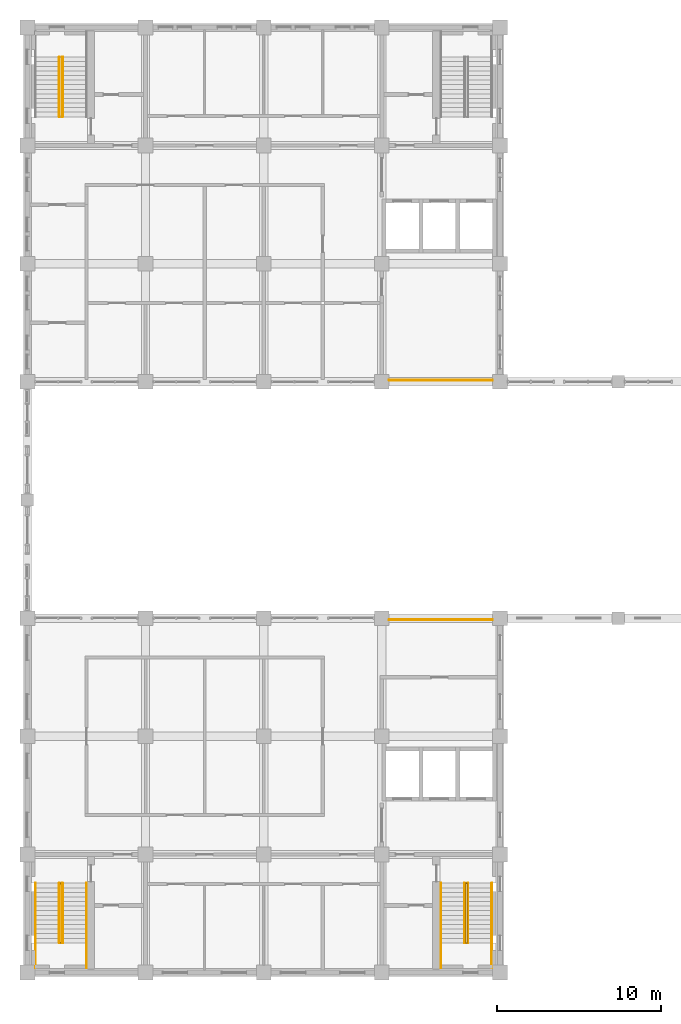
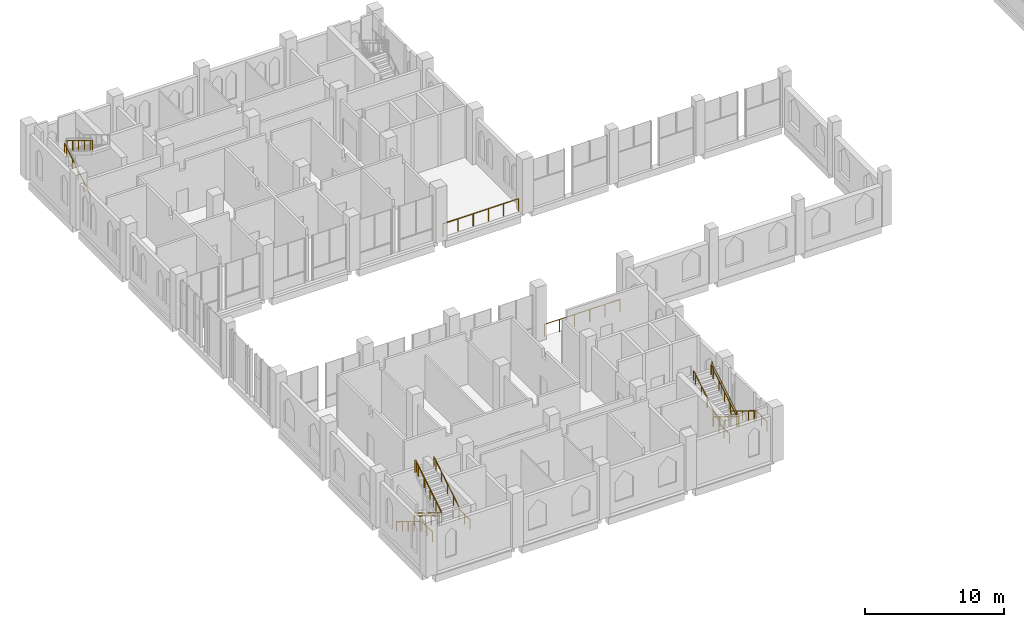
# One storey, part 37 of 39: 14 railings.
"""IFC4 building model written with IfcOpenShell, lengths in metres."""

import ifcopenshell
import ifcopenshell.guid

model = None  # the IFC model being written
_history = None  # IfcOwnerHistory: only IFC2X3 demands one
_inside = {}  # id of a spatial element -> (the spatial element, [elements in it])
_under = {}  # id of a project, library or spatial element -> (it, [spatial elements below it])
_declared = {}  # id of a project -> (the project, [libraries it declares])
_typed = {}  # id of a type object -> (the type object, [elements of that type])
_made_of = {}  # id of a material, layer set ... -> (it, [elements and type objects made of it])


def new_model(schema):
    """Start an empty IFC model of exactly this schema.

    Asked for "IFC4X3", IfcOpenShell would pick the latest addendum, in which some entities
    have other attributes; the version numbers below select the first issue.
    IFC2X3 requires an IfcOwnerHistory on every rooted entity: one is made here for all.
    """
    global model, _history
    if schema == "IFC4X3":
        model = ifcopenshell.file(schema_version=(4, 3, 0, 0))
    else:
        model = ifcopenshell.file(schema=schema)
    _inside.clear()
    _under.clear()
    _declared.clear()
    _typed.clear()
    _made_of.clear()
    _history = None
    if model.schema == "IFC2X3":
        org = make("IfcOrganization", Name="unknown")
        user = make(
            "IfcPersonAndOrganization",
            ThePerson=make("IfcPerson", FamilyName="unknown"),
            TheOrganization=org,
        )
        app = make(
            "IfcApplication",
            ApplicationDeveloper=org,
            Version="unknown",
            ApplicationFullName="unknown",
            ApplicationIdentifier="unknown",
        )
        _history = make(
            "IfcOwnerHistory",
            OwningUser=user,
            OwningApplication=app,
            ChangeAction="ADDED",
            CreationDate=0,
        )
    return model


def make(cls, **values):
    """One entity of the class cls with the attributes given. An attribute that is None is left unset."""
    return model.create_entity(
        cls, **{name: value for name, value in values.items() if value is not None}
    )


def rooted(cls, **values):
    """An entity with a GlobalId (a new one), such as an element, a storey or a relation."""
    return make(cls, GlobalId=ifcopenshell.guid.new(), OwnerHistory=_history, **values)


def si_unit(unit_type, name, prefix=None):
    """IfcSIUnit, for example si_unit("LENGTHUNIT", "METRE", prefix="MILLI")."""
    return make("IfcSIUnit", UnitType=unit_type, Prefix=prefix, Name=name)


def assignment(units):
    """IfcUnitAssignment: the units of a project."""
    return None if units is None else make("IfcUnitAssignment", Units=units)


def point(xyz):
    """IfcCartesianPoint."""
    return None if xyz is None else make("IfcCartesianPoint", Coordinates=xyz)


def direction(xyz):
    """IfcDirection."""
    return None if xyz is None else make("IfcDirection", DirectionRatios=xyz)


def frame(location, z_axis=None, x_axis=None):
    """IfcAxis2Placement3D, a coordinate frame: its origin and axes. An axis left out is left unset."""
    return make(
        "IfcAxis2Placement3D",
        Location=point(location),
        Axis=direction(z_axis),
        RefDirection=direction(x_axis),
    )


def frame_2d(location, x_axis=None):
    """IfcAxis2Placement2D, a coordinate frame in the plane: its origin and x axis."""
    return make(
        "IfcAxis2Placement2D", Location=point(location), RefDirection=direction(x_axis)
    )


def origin():
    """The frame at (0, 0, 0) with its axes left unset."""
    return frame((0.0, 0.0, 0.0))


def origin_2d():
    """The frame at (0, 0) in the plane with its x axis left unset."""
    return frame_2d((0.0, 0.0))


def place(relative_to, where):
    """IfcLocalPlacement: puts the frame where relative to a parent placement (None: the world)."""
    return make(
        "IfcLocalPlacement", PlacementRelTo=relative_to, RelativePlacement=where
    )


def context(
    kind, dimensions, precision=None, world=None, true_north=None, identifier=None
):
    """IfcGeometricRepresentationContext, for example the 3D "Model" context."""
    return make(
        "IfcGeometricRepresentationContext",
        ContextIdentifier=identifier,
        ContextType=kind,
        CoordinateSpaceDimension=dimensions,
        Precision=precision,
        WorldCoordinateSystem=world,
        TrueNorth=true_north,
    )


def subcontext(parent, identifier, kind, view, scale=None):
    """IfcGeometricRepresentationSubContext, for example "Body" below "Model"."""
    return make(
        "IfcGeometricRepresentationSubContext",
        ContextIdentifier=identifier,
        ContextType=kind,
        ParentContext=parent,
        TargetScale=scale,
        TargetView=view,
    )


def project(units=None, contexts=None):
    """IfcProject with its units and contexts."""
    return rooted(
        "IfcProject",
        Name="project",
        RepresentationContexts=contexts,
        UnitsInContext=assignment(units),
    )


def spatial(cls, under=None, at=None, **own):
    """A site, building, storey or space (cls), placed at a placement, below another one or the project."""
    s = rooted(cls, ObjectPlacement=at, **own)
    if under is not None:
        _under.setdefault(under.id(), (under, []))[1].append(s)
    return s


def profile(cls, at=None, kind="AREA", **sizes):
    """A parametric profile (cls). Its sizes go by their IFC names, for example OverallWidth=200.0."""
    return make(cls, ProfileType=kind, Position=at, **sizes)


def circle(**sizes):
    """IfcCircleProfileDef."""
    return profile("IfcCircleProfileDef", **sizes)


def extrude(swept, where, along, depth):
    """IfcExtrudedAreaSolid: the profile swept, set in the frame where, extruded along a direction by depth."""
    return make(
        "IfcExtrudedAreaSolid",
        SweptArea=swept,
        Position=where,
        ExtrudedDirection=direction(along),
        Depth=depth,
    )


def shape(context_of_items, identifier, shape_type, items):
    """IfcShapeRepresentation: the items that make up one representation, for example the "Body"."""
    return make(
        "IfcShapeRepresentation",
        ContextOfItems=context_of_items,
        RepresentationIdentifier=identifier,
        RepresentationType=shape_type,
        Items=items,
    )


def material(Name=None, Category=None):
    """IfcMaterial."""
    return make("IfcMaterial", Name=Name, Category=Category)


def made_of(thing, what):
    """Note that an element or type object is made of a material, layer set ...; save() writes the relation."""
    if what is not None:
        _made_of.setdefault(what.id(), (what, []))[1].append(thing)
    return thing


def type_object(cls, material=None, **own):
    """A type object (cls), such as IfcWallType, which elements share."""
    return made_of(rooted(cls, **own), material)


def element(
    cls,
    number,
    at=None,
    inside=None,
    cuts=None,
    type_object=None,
    material=None,
    context=None,
    identifier="Body",
    shape_type=None,
    held_by="IfcProductDefinitionShape",
    body=None,
    shapes=None,
    **own,
):
    """One element of the class cls, such as IfcWall. Its Tag is "e" and its number.

    at: its placement. inside: the storey or other place that contains it. cuts: it is an
    opening in that element (IfcRelVoidsElement). A single representation is given by context,
    identifier, shape_type and body (its items); several are given by shapes. held_by: the class
    of the entity that holds the representations. save() writes the other relations.
    """
    e = rooted(cls, Tag="e%d" % number, ObjectPlacement=at, **own)
    if body is not None:
        shapes = [shape(context, identifier, shape_type, body)]
    if shapes is not None:
        e.Representation = make(held_by, Representations=shapes)
    if inside is not None:
        _inside.setdefault(inside.id(), (inside, []))[1].append(e)
    if cuts is not None:
        rooted(
            "IfcRelVoidsElement", RelatingBuildingElement=cuts, RelatedOpeningElement=e
        )
    if type_object is not None:
        _typed.setdefault(type_object.id(), (type_object, []))[1].append(e)
    return made_of(e, material)


def aggregate(whole, parts):
    """IfcRelAggregates: a whole, such as a stair, and the parts it consists of."""
    return rooted("IfcRelAggregates", RelatingObject=whole, RelatedObjects=parts)


def save(model, path):
    """Write the relations noted so far, then the file.

    IfcRelAggregates (storeys below a building ...), IfcRelContainedInSpatialStructure (elements
    in a storey), IfcRelDefinesByType, IfcRelAssociatesMaterial and IfcRelDeclares: one each for
    every whole, place, type object, material and project.
    """
    for whole, parts in _under.values():
        aggregate(whole, parts)
    for where, things in _inside.values():
        rooted(
            "IfcRelContainedInSpatialStructure",
            RelatedElements=things,
            RelatingStructure=where,
        )
    for kind, things in _typed.values():
        rooted("IfcRelDefinesByType", RelatedObjects=things, RelatingType=kind)
    for what, things in _made_of.values():
        rooted("IfcRelAssociatesMaterial", RelatedObjects=things, RelatingMaterial=what)
    for by, libraries in _declared.values():
        rooted("IfcRelDeclares", RelatingContext=by, RelatedDefinitions=libraries)
    model.write(path)


model = new_model("IFC4")

# Units and contexts
model_context = context("Model", 3, precision=1e-05, world=origin(), true_north=direction((0.0, 1.0)))
body_context = subcontext(model_context, "Body", "Model", "MODEL_VIEW")
ifc_project = project(units=[si_unit("LENGTHUNIT", "METRE"), si_unit("AREAUNIT", "SQUARE_METRE"), si_unit("VOLUMEUNIT", "CUBIC_METRE"), si_unit("PLANEANGLEUNIT", "RADIAN"), si_unit("MASSUNIT", "GRAM", prefix="KILO")], contexts=[model_context])

# Site, building, storey
site_placement = place(None, origin())
site = spatial("IfcSite", under=ifc_project, at=site_placement, CompositionType="ELEMENT")
building_placement = place(site_placement, origin())
building = spatial("IfcBuilding", under=site, at=building_placement, Name="Silangan Lancet Faculty of Sciences", CompositionType="ELEMENT")
storey_placement = place(building_placement, frame((0.0, 0.0, 26.39990234375)))
storey = spatial("IfcBuildingStorey", under=building, at=storey_placement, Name="L05", CompositionType="ELEMENT", Elevation=26.39990234375)

# Railings
ifc_material_1 = material(Name="Steel balustrade", Category="steel")
railing_type_1 = type_object("IfcRailingType", Name="ATRIUM GUARD 1100", PredefinedType="GUARDRAIL", material=ifc_material_1)
for number, where, name in (
    (1, (22.050048828125, 21.5, 0.0), "GUARD-ATR-L05-S9"),
    (2, (22.050048828125, 36.10009765625, 0.0), "GUARD-ATR-L05-N10"),
):
    element("IfcRailing", number, at=place(storey_placement, frame(where)), inside=storey, type_object=railing_type_1, Name=name, PredefinedType="GUARDRAIL", context=body_context, shape_type="SweptSolid", body=[
        extrude(circle(Radius=0.02392578125, at=origin_2d()), frame((0.0, 0.0, 1.076171875), z_axis=(1.0, 0.0, 0.0), x_axis=(0.0, 1.0, 0.0)), (0.0, 0.0, 1.0), 6.300048828125),
        extrude(circle(Radius=0.02099609375, at=origin_2d()), origin(), (0.0, 0.0, 1.0), 1.052001953125),
        extrude(circle(Radius=0.02099609375, at=origin_2d()), frame((1.260009765625, 0.0, 0.0)), (0.0, 0.0, 1.0), 1.052001953125),
        extrude(circle(Radius=0.02099609375, at=origin_2d()), frame((2.52001953125, 0.0, 0.0)), (0.0, 0.0, 1.0), 1.052001953125),
        extrude(circle(Radius=0.02099609375, at=origin_2d()), frame((3.780029296875, 0.0, 0.0)), (0.0, 0.0, 1.0), 1.052001953125),
        extrude(circle(Radius=0.02099609375, at=origin_2d()), frame((5.0400390625, 0.0, 0.0)), (0.0, 0.0, 1.0), 1.052001953125),
        extrude(circle(Radius=0.02099609375, at=origin_2d()), frame((6.300048828125, 0.0, 0.0)), (0.0, 0.0, 1.0), 1.052001953125),
    ])
ifc_material_2 = material(Name="Steel balustrade", Category="steel")
railing_type_2 = type_object("IfcRailingType", Name="STAIR GUARD 1100", PredefinedType="GUARDRAIL", material=ifc_material_2)
railing_1_placement = place(storey_placement, frame((2.0, 5.449951171875, 0.17138671875)))
element("IfcRailing", 3, at=railing_1_placement, inside=storey, type_object=railing_type_2, Name="GUARD-ST-A-L05", PredefinedType="GUARDRAIL", context=body_context, shape_type="SweptSolid", body=[
    extrude(circle(Radius=0.02392578125, at=origin_2d()), frame((0.0, 0.0, 1.076171875), z_axis=(0.0, -0.852798921012, 0.522239409008), x_axis=(1.0, 0.0, 0.0)), (0.0, 0.0, 1.0), 1.313232421875),
    extrude(circle(Radius=0.02392578125, at=origin_2d()), frame((0.0, -1.119873046875, 1.76171875), z_axis=(0.0, -0.852849614702, 0.52215661894), x_axis=(1.0, 0.0, 0.0)), (0.0, 0.0, 1.0), 1.3134765625),
    extrude(circle(Radius=0.02392578125, at=origin_2d()), frame((0.0, -2.239990234375, 2.44775390625), z_axis=(0.0, -0.852798921012, 0.522239409008), x_axis=(1.0, 0.0, 0.0)), (0.0, 0.0, 1.0), 1.313232421875),
    extrude(circle(Radius=0.02392578125, at=origin_2d()), frame((0.0, -3.35986328125, 3.13330078125), z_axis=(0.0, -0.852932391421, 0.522021393877), x_axis=(1.0, 0.0, 0.0)), (0.0, 0.0, 1.0), 0.328369140625),
    extrude(circle(Radius=0.02392578125, at=origin_2d()), frame((0.0, -3.639892578125, 3.3046875), z_axis=(1.0, 0.0, 0.0), x_axis=(0.0, 1.0, 0.0)), (0.0, 0.0, 1.0), 0.10009765625),
    extrude(circle(Radius=0.02392578125, at=origin_2d()), frame((0.10009765625, -3.639892578125, 3.3046875), z_axis=(0.0, 0.0, 1.0), x_axis=(1.0, 0.0, 0.0)), (0.0, 0.0, 1.0), 0.17138671875),
    extrude(circle(Radius=0.02392578125, at=origin_2d()), frame((0.10009765625, -3.639892578125, 3.47607421875), z_axis=(0.0, 0.852881719064, 0.522104178577), x_axis=(-1.0, 0.0, 0.0)), (0.0, 0.0, 1.0), 1.31298828125),
    extrude(circle(Radius=0.02392578125, at=origin_2d()), frame((0.10009765625, -2.52001953125, 4.16162109375), z_axis=(0.0, 0.852766832618, 0.522291804633), x_axis=(-1.0, 0.0, 0.0)), (0.0, 0.0, 1.0), 1.3134765625),
    extrude(circle(Radius=0.02392578125, at=origin_2d()), frame((0.10009765625, -1.39990234375, 4.84765625), z_axis=(0.0, 0.852881719064, 0.522104178577), x_axis=(-1.0, 0.0, 0.0)), (0.0, 0.0, 1.0), 1.31298828125),
    extrude(circle(Radius=0.02392578125, at=origin_2d()), frame((0.10009765625, -0.280029296875, 5.533203125), z_axis=(0.0, 0.852932391421, 0.522021393877), x_axis=(-1.0, 0.0, 0.0)), (0.0, 0.0, 1.0), 0.328369140625),
    extrude(circle(Radius=0.02392578125, at=origin_2d()), frame((0.10009765625, 0.0, 5.70458984375), z_axis=(-1.0, 0.0, 0.0), x_axis=(0.0, -1.0, 0.0)), (0.0, 0.0, 1.0), 0.10009765625),
    extrude(circle(Radius=0.02099609375, at=origin_2d()), origin(), (0.0, 0.0, 1.0), 1.052001953125),
    extrude(circle(Radius=0.02099609375, at=origin_2d()), frame((0.0, -1.119873046875, 0.685791015625)), (0.0, 0.0, 1.0), 1.052001953125),
    extrude(circle(Radius=0.02099609375, at=origin_2d()), frame((0.0, -2.239990234375, 1.37158203125)), (0.0, 0.0, 1.0), 1.052001953125),
    extrude(circle(Radius=0.02099609375, at=origin_2d()), frame((0.0, -3.35986328125, 2.057373046875)), (0.0, 0.0, 1.0), 1.052001953125),
    extrude(circle(Radius=0.02099609375, at=origin_2d()), frame((0.0, -3.639892578125, 2.228759765625)), (0.0, 0.0, 1.0), 1.052001953125),
    extrude(circle(Radius=0.02099609375, at=origin_2d()), frame((0.10009765625, -3.639892578125, 2.228759765625)), (0.0, 0.0, 1.0), 1.052001953125),
    extrude(circle(Radius=0.02099609375, at=origin_2d()), frame((0.10009765625, -3.639892578125, 2.400146484375)), (0.0, 0.0, 1.0), 1.052001953125),
    extrude(circle(Radius=0.02099609375, at=origin_2d()), frame((0.10009765625, -2.52001953125, 3.085693359375)), (0.0, 0.0, 1.0), 1.052001953125),
    extrude(circle(Radius=0.02099609375, at=origin_2d()), frame((0.10009765625, -1.39990234375, 3.771728515625)), (0.0, 0.0, 1.0), 1.052001953125),
    extrude(circle(Radius=0.02099609375, at=origin_2d()), frame((0.10009765625, -0.280029296875, 4.457275390625)), (0.0, 0.0, 1.0), 1.052001953125),
    extrude(circle(Radius=0.02099609375, at=origin_2d()), frame((0.10009765625, 0.0, 4.628662109375)), (0.0, 0.0, 1.0), 1.052001953125),
    extrude(circle(Radius=0.02099609375, at=origin_2d()), frame((0.0, 0.0, 4.628662109375)), (0.0, 0.0, 1.0), 1.052001953125),
])
railing_2_placement = place(storey_placement, frame((26.800048828125, 5.449951171875, 0.17138671875)))
element("IfcRailing", 4, at=railing_2_placement, inside=storey, type_object=railing_type_2, Name="GUARD-ST-B-L05", PredefinedType="GUARDRAIL", context=body_context, shape_type="SweptSolid", body=[
    extrude(circle(Radius=0.02392578125, at=origin_2d()), frame((0.0, 0.0, 1.076171875), z_axis=(0.0, -0.852798921012, 0.522239409008), x_axis=(1.0, 0.0, 0.0)), (0.0, 0.0, 1.0), 1.313232421875),
    extrude(circle(Radius=0.02392578125, at=origin_2d()), frame((0.0, -1.119873046875, 1.76171875), z_axis=(0.0, -0.852849614702, 0.52215661894), x_axis=(1.0, 0.0, 0.0)), (0.0, 0.0, 1.0), 1.3134765625),
    extrude(circle(Radius=0.02392578125, at=origin_2d()), frame((0.0, -2.239990234375, 2.44775390625), z_axis=(0.0, -0.852798921012, 0.522239409008), x_axis=(1.0, 0.0, 0.0)), (0.0, 0.0, 1.0), 1.313232421875),
    extrude(circle(Radius=0.02392578125, at=origin_2d()), frame((0.0, -3.35986328125, 3.13330078125), z_axis=(0.0, -0.852932391421, 0.522021393877), x_axis=(1.0, 0.0, 0.0)), (0.0, 0.0, 1.0), 0.328369140625),
    extrude(circle(Radius=0.02392578125, at=origin_2d()), frame((0.0, -3.639892578125, 3.3046875), z_axis=(-1.0, 0.0, 0.0), x_axis=(0.0, -1.0, 0.0)), (0.0, 0.0, 1.0), 0.10009765625),
    extrude(circle(Radius=0.02392578125, at=origin_2d()), frame((-0.10009765625, -3.639892578125, 3.3046875), z_axis=(0.0, 0.0, 1.0), x_axis=(1.0, 0.0, 0.0)), (0.0, 0.0, 1.0), 0.17138671875),
    extrude(circle(Radius=0.02392578125, at=origin_2d()), frame((-0.10009765625, -3.639892578125, 3.47607421875), z_axis=(0.0, 0.852881719064, 0.522104178577), x_axis=(-1.0, 0.0, 0.0)), (0.0, 0.0, 1.0), 1.31298828125),
    extrude(circle(Radius=0.02392578125, at=origin_2d()), frame((-0.10009765625, -2.52001953125, 4.16162109375), z_axis=(0.0, 0.852766832618, 0.522291804633), x_axis=(-1.0, 0.0, 0.0)), (0.0, 0.0, 1.0), 1.3134765625),
    extrude(circle(Radius=0.02392578125, at=origin_2d()), frame((-0.10009765625, -1.39990234375, 4.84765625), z_axis=(0.0, 0.852881719064, 0.522104178577), x_axis=(-1.0, 0.0, 0.0)), (0.0, 0.0, 1.0), 1.31298828125),
    extrude(circle(Radius=0.02392578125, at=origin_2d()), frame((-0.10009765625, -0.280029296875, 5.533203125), z_axis=(0.0, 0.852932391421, 0.522021393877), x_axis=(-1.0, 0.0, 0.0)), (0.0, 0.0, 1.0), 0.328369140625),
    extrude(circle(Radius=0.02392578125, at=origin_2d()), frame((-0.10009765625, 0.0, 5.70458984375), z_axis=(1.0, 0.0, 0.0), x_axis=(0.0, 1.0, 0.0)), (0.0, 0.0, 1.0), 0.10009765625),
    extrude(circle(Radius=0.02099609375, at=origin_2d()), origin(), (0.0, 0.0, 1.0), 1.052001953125),
    extrude(circle(Radius=0.02099609375, at=origin_2d()), frame((0.0, -1.119873046875, 0.685791015625)), (0.0, 0.0, 1.0), 1.052001953125),
    extrude(circle(Radius=0.02099609375, at=origin_2d()), frame((0.0, -2.239990234375, 1.37158203125)), (0.0, 0.0, 1.0), 1.052001953125),
    extrude(circle(Radius=0.02099609375, at=origin_2d()), frame((0.0, -3.35986328125, 2.057373046875)), (0.0, 0.0, 1.0), 1.052001953125),
    extrude(circle(Radius=0.02099609375, at=origin_2d()), frame((0.0, -3.639892578125, 2.228759765625)), (0.0, 0.0, 1.0), 1.052001953125),
    extrude(circle(Radius=0.02099609375, at=origin_2d()), frame((-0.10009765625, -3.639892578125, 2.228759765625)), (0.0, 0.0, 1.0), 1.052001953125),
    extrude(circle(Radius=0.02099609375, at=origin_2d()), frame((-0.10009765625, -3.639892578125, 2.400146484375)), (0.0, 0.0, 1.0), 1.052001953125),
    extrude(circle(Radius=0.02099609375, at=origin_2d()), frame((-0.10009765625, -2.52001953125, 3.085693359375)), (0.0, 0.0, 1.0), 1.052001953125),
    extrude(circle(Radius=0.02099609375, at=origin_2d()), frame((-0.10009765625, -1.39990234375, 3.771728515625)), (0.0, 0.0, 1.0), 1.052001953125),
    extrude(circle(Radius=0.02099609375, at=origin_2d()), frame((-0.10009765625, -0.280029296875, 4.457275390625)), (0.0, 0.0, 1.0), 1.052001953125),
    extrude(circle(Radius=0.02099609375, at=origin_2d()), frame((-0.10009765625, 0.0, 4.628662109375)), (0.0, 0.0, 1.0), 1.052001953125),
    extrude(circle(Radius=0.02099609375, at=origin_2d()), frame((0.0, 0.0, 4.628662109375)), (0.0, 0.0, 1.0), 1.052001953125),
])
ifc_material_3 = material(Name="Stainless steel", Category="steel")
railing_type_3 = type_object("IfcRailingType", Name="STAIR HANDRAIL 865", PredefinedType="HANDRAIL", material=ifc_material_3)
railing_3_placement = place(storey_placement, frame((1.949951171875, 52.14990234375, 0.17138671875)))
element("IfcRailing", 5, at=railing_3_placement, inside=storey, type_object=railing_type_3, Name="HANDRAIL-NT-A-L05-I1", PredefinedType="HANDRAIL", context=body_context, shape_type="SweptSolid", body=[
    extrude(circle(Radius=0.02392578125, at=origin_2d()), frame((0.0, 0.0, 0.8408203125), z_axis=(0.0, 0.852822021269, 0.522201685212), x_axis=(-1.0, 0.0, 0.0)), (0.0, 0.0, 1.0), 0.985107421875),
    extrude(circle(Radius=0.02392578125, at=origin_2d()), frame((0.0, 0.840087890625, 1.35546875), z_axis=(0.0, 0.852822021269, 0.522201685212), x_axis=(-1.0, 0.0, 0.0)), (0.0, 0.0, 1.0), 0.985107421875),
    extrude(circle(Radius=0.02392578125, at=origin_2d()), frame((0.0, 1.68017578125, 1.86962890625), z_axis=(0.0, 0.85286482292, 0.522131778218), x_axis=(-1.0, 0.0, 0.0)), (0.0, 0.0, 1.0), 0.984619140625),
    extrude(circle(Radius=0.02392578125, at=origin_2d()), frame((0.0, 2.52001953125, 2.3837890625), z_axis=(0.0, 0.852822021269, 0.522201685212), x_axis=(-1.0, 0.0, 0.0)), (0.0, 0.0, 1.0), 0.985107421875),
    extrude(circle(Radius=0.02392578125, at=origin_2d()), frame((0.0, 3.360107421875, 2.8984375), z_axis=(0.0, 0.852932391421, 0.522021393877), x_axis=(-1.0, 0.0, 0.0)), (0.0, 0.0, 1.0), 0.328369140625),
    extrude(circle(Radius=0.02099609375, at=origin_2d()), origin(), (0.0, 0.0, 1.0), 0.81689453125),
    extrude(circle(Radius=0.02099609375, at=origin_2d()), frame((0.0, 0.840087890625, 0.514404296875)), (0.0, 0.0, 1.0), 0.81689453125),
    extrude(circle(Radius=0.02099609375, at=origin_2d()), frame((0.0, 1.68017578125, 1.02880859375)), (0.0, 0.0, 1.0), 0.81689453125),
    extrude(circle(Radius=0.02099609375, at=origin_2d()), frame((0.0, 2.52001953125, 1.54296875)), (0.0, 0.0, 1.0), 0.81689453125),
    extrude(circle(Radius=0.02099609375, at=origin_2d()), frame((0.0, 3.360107421875, 2.057373046875)), (0.0, 0.0, 1.0), 0.81689453125),
    extrude(circle(Radius=0.02099609375, at=origin_2d()), frame((0.0, 3.64013671875, 2.228759765625)), (0.0, 0.0, 1.0), 0.81689453125),
])
railing_4_placement = place(storey_placement, frame((2.14990234375, 55.7900390625, 2.571533203125)))
element("IfcRailing", 6, at=railing_4_placement, inside=storey, type_object=railing_type_3, Name="HANDRAIL-NT-A-L05-I2", PredefinedType="HANDRAIL", context=body_context, shape_type="SweptSolid", body=[
    extrude(circle(Radius=0.02392578125, at=origin_2d()), frame((0.0, 0.0, 0.8408203125), z_axis=(0.0, -0.852932391421, 0.522021393877), x_axis=(1.0, 0.0, 0.0)), (0.0, 0.0, 1.0), 0.98486328125),
    extrude(circle(Radius=0.02392578125, at=origin_2d()), frame((0.0, -0.840087890625, 1.35498046875), z_axis=(0.0, -0.852754414843, 0.522312079092), x_axis=(1.0, 0.0, 0.0)), (0.0, 0.0, 1.0), 0.98486328125),
    extrude(circle(Radius=0.02392578125, at=origin_2d()), frame((0.0, -1.679931640625, 1.86962890625), z_axis=(0.0, -0.852822021269, 0.522201685212), x_axis=(1.0, 0.0, 0.0)), (0.0, 0.0, 1.0), 0.985107421875),
    extrude(circle(Radius=0.02392578125, at=origin_2d()), frame((0.0, -2.52001953125, 2.3837890625), z_axis=(0.0, -0.852932391421, 0.522021393877), x_axis=(1.0, 0.0, 0.0)), (0.0, 0.0, 1.0), 0.98486328125),
    extrude(circle(Radius=0.02392578125, at=origin_2d()), frame((0.0, -3.360107421875, 2.89794921875), z_axis=(0.0, -0.852932391421, 0.522021393877), x_axis=(1.0, 0.0, 0.0)), (0.0, 0.0, 1.0), 0.328369140625),
    extrude(circle(Radius=0.02099609375, at=origin_2d()), origin(), (0.0, 0.0, 1.0), 0.81689453125),
    extrude(circle(Radius=0.02099609375, at=origin_2d()), frame((0.0, -0.840087890625, 0.51416015625)), (0.0, 0.0, 1.0), 0.81689453125),
    extrude(circle(Radius=0.02099609375, at=origin_2d()), frame((0.0, -1.679931640625, 1.028564453125)), (0.0, 0.0, 1.0), 0.81689453125),
    extrude(circle(Radius=0.02099609375, at=origin_2d()), frame((0.0, -2.52001953125, 1.54296875)), (0.0, 0.0, 1.0), 0.81689453125),
    extrude(circle(Radius=0.02099609375, at=origin_2d()), frame((0.0, -3.360107421875, 2.05712890625)), (0.0, 0.0, 1.0), 0.81689453125),
    extrude(circle(Radius=0.02099609375, at=origin_2d()), frame((0.0, -3.64013671875, 2.228515625)), (0.0, 0.0, 1.0), 0.81689453125),
])
railing_5_placement = place(storey_placement, frame((0.5, 5.449951171875, 0.17138671875)))
element("IfcRailing", 7, at=railing_5_placement, inside=storey, type_object=railing_type_3, Name="HANDRAIL-ST-A-L05-O1", PredefinedType="HANDRAIL", context=body_context, shape_type="SweptSolid", body=[
    extrude(circle(Radius=0.02392578125, at=origin_2d()), frame((0.0, 0.0, 0.8408203125), z_axis=(0.0, -0.852754414843, 0.522312079092), x_axis=(1.0, 0.0, 0.0)), (0.0, 0.0, 1.0), 0.98486328125),
    extrude(circle(Radius=0.02392578125, at=origin_2d()), frame((0.0, -0.83984375, 1.35546875), z_axis=(0.0, -0.852822021269, 0.522201685212), x_axis=(1.0, 0.0, 0.0)), (0.0, 0.0, 1.0), 0.985107421875),
    extrude(circle(Radius=0.02392578125, at=origin_2d()), frame((0.0, -1.679931640625, 1.86962890625), z_axis=(0.0, -0.852932391421, 0.522021393877), x_axis=(1.0, 0.0, 0.0)), (0.0, 0.0, 1.0), 0.98486328125),
    extrude(circle(Radius=0.02392578125, at=origin_2d()), frame((0.0, -2.52001953125, 2.3837890625), z_axis=(0.0, -0.852754414843, 0.522312079092), x_axis=(1.0, 0.0, 0.0)), (0.0, 0.0, 1.0), 0.98486328125),
    extrude(circle(Radius=0.02392578125, at=origin_2d()), frame((0.0, -3.35986328125, 2.8984375), z_axis=(0.0, -0.852932391421, 0.522021393877), x_axis=(1.0, 0.0, 0.0)), (0.0, 0.0, 1.0), 0.328369140625),
    extrude(circle(Radius=0.02392578125, at=origin_2d()), frame((0.0, -3.639892578125, 3.06982421875), z_axis=(0.0, -1.0, 0.0), x_axis=(1.0, 0.0, 0.0)), (0.0, 0.0, 1.0), 1.53515625),
    extrude(circle(Radius=0.02099609375, at=origin_2d()), origin(), (0.0, 0.0, 1.0), 0.81689453125),
    extrude(circle(Radius=0.02099609375, at=origin_2d()), frame((0.0, -0.83984375, 0.514404296875)), (0.0, 0.0, 1.0), 0.81689453125),
    extrude(circle(Radius=0.02099609375, at=origin_2d()), frame((0.0, -1.679931640625, 1.02880859375)), (0.0, 0.0, 1.0), 0.81689453125),
    extrude(circle(Radius=0.02099609375, at=origin_2d()), frame((0.0, -2.52001953125, 1.54296875)), (0.0, 0.0, 1.0), 0.81689453125),
    extrude(circle(Radius=0.02099609375, at=origin_2d()), frame((0.0, -3.35986328125, 2.057373046875)), (0.0, 0.0, 1.0), 0.81689453125),
    extrude(circle(Radius=0.02099609375, at=origin_2d()), frame((0.0, -3.639892578125, 2.228759765625)), (0.0, 0.0, 1.0), 0.81689453125),
    extrude(circle(Radius=0.02099609375, at=origin_2d()), frame((0.0, -4.407470703125, 2.228759765625)), (0.0, 0.0, 1.0), 0.81689453125),
    extrude(circle(Radius=0.02099609375, at=origin_2d()), frame((0.0, -5.175048828125, 2.228759765625)), (0.0, 0.0, 1.0), 0.81689453125),
])
railing_6_placement = place(storey_placement, frame((1.949951171875, 5.449951171875, 0.17138671875)))
element("IfcRailing", 8, at=railing_6_placement, inside=storey, type_object=railing_type_3, Name="HANDRAIL-ST-A-L05-I1", PredefinedType="HANDRAIL", context=body_context, shape_type="SweptSolid", body=[
    extrude(circle(Radius=0.02392578125, at=origin_2d()), frame((0.0, 0.0, 0.8408203125), z_axis=(0.0, -0.852754414843, 0.522312079092), x_axis=(1.0, 0.0, 0.0)), (0.0, 0.0, 1.0), 0.98486328125),
    extrude(circle(Radius=0.02392578125, at=origin_2d()), frame((0.0, -0.83984375, 1.35546875), z_axis=(0.0, -0.852822021269, 0.522201685212), x_axis=(1.0, 0.0, 0.0)), (0.0, 0.0, 1.0), 0.985107421875),
    extrude(circle(Radius=0.02392578125, at=origin_2d()), frame((0.0, -1.679931640625, 1.86962890625), z_axis=(0.0, -0.852932391421, 0.522021393877), x_axis=(1.0, 0.0, 0.0)), (0.0, 0.0, 1.0), 0.98486328125),
    extrude(circle(Radius=0.02392578125, at=origin_2d()), frame((0.0, -2.52001953125, 2.3837890625), z_axis=(0.0, -0.852754414843, 0.522312079092), x_axis=(1.0, 0.0, 0.0)), (0.0, 0.0, 1.0), 0.98486328125),
    extrude(circle(Radius=0.02392578125, at=origin_2d()), frame((0.0, -3.35986328125, 2.8984375), z_axis=(0.0, -0.852932391421, 0.522021393877), x_axis=(1.0, 0.0, 0.0)), (0.0, 0.0, 1.0), 0.328369140625),
    extrude(circle(Radius=0.02099609375, at=origin_2d()), origin(), (0.0, 0.0, 1.0), 0.81689453125),
    extrude(circle(Radius=0.02099609375, at=origin_2d()), frame((0.0, -0.83984375, 0.514404296875)), (0.0, 0.0, 1.0), 0.81689453125),
    extrude(circle(Radius=0.02099609375, at=origin_2d()), frame((0.0, -1.679931640625, 1.02880859375)), (0.0, 0.0, 1.0), 0.81689453125),
    extrude(circle(Radius=0.02099609375, at=origin_2d()), frame((0.0, -2.52001953125, 1.54296875)), (0.0, 0.0, 1.0), 0.81689453125),
    extrude(circle(Radius=0.02099609375, at=origin_2d()), frame((0.0, -3.35986328125, 2.057373046875)), (0.0, 0.0, 1.0), 0.81689453125),
    extrude(circle(Radius=0.02099609375, at=origin_2d()), frame((0.0, -3.639892578125, 2.228759765625)), (0.0, 0.0, 1.0), 0.81689453125),
])
railing_7_placement = place(storey_placement, frame((3.60009765625, 0.27490234375, 2.400146484375)))
element("IfcRailing", 9, at=railing_7_placement, inside=storey, type_object=railing_type_3, Name="HANDRAIL-ST-A-L05-O2", PredefinedType="HANDRAIL", context=body_context, shape_type="SweptSolid", body=[
    extrude(circle(Radius=0.02392578125, at=origin_2d()), frame((0.0, 0.0, 0.8408203125), z_axis=(0.0, 1.0, 0.0), x_axis=(-1.0, 0.0, 0.0)), (0.0, 0.0, 1.0), 1.53515625),
    extrude(circle(Radius=0.02392578125, at=origin_2d()), frame((0.0, 1.53515625, 0.8408203125), z_axis=(0.0, 0.0, 1.0), x_axis=(1.0, 0.0, 0.0)), (0.0, 0.0, 1.0), 0.17138671875),
    extrude(circle(Radius=0.02392578125, at=origin_2d()), frame((0.0, 1.53515625, 1.01220703125), z_axis=(0.0, 0.85286482292, 0.522131778218), x_axis=(-1.0, 0.0, 0.0)), (0.0, 0.0, 1.0), 0.984619140625),
    extrude(circle(Radius=0.02392578125, at=origin_2d()), frame((0.0, 2.375, 1.5263671875), z_axis=(0.0, 0.852822021269, 0.522201685212), x_axis=(-1.0, 0.0, 0.0)), (0.0, 0.0, 1.0), 0.985107421875),
    extrude(circle(Radius=0.02392578125, at=origin_2d()), frame((0.0, 3.215087890625, 2.041015625), z_axis=(0.0, 0.852822021269, 0.522201685212), x_axis=(-1.0, 0.0, 0.0)), (0.0, 0.0, 1.0), 0.985107421875),
    extrude(circle(Radius=0.02392578125, at=origin_2d()), frame((0.0, 4.05517578125, 2.55517578125), z_axis=(0.0, 0.85286482292, 0.522131778218), x_axis=(-1.0, 0.0, 0.0)), (0.0, 0.0, 1.0), 0.984619140625),
    extrude(circle(Radius=0.02392578125, at=origin_2d()), frame((0.0, 4.89501953125, 3.0693359375), z_axis=(0.0, 0.852932391421, 0.522021393877), x_axis=(-1.0, 0.0, 0.0)), (0.0, 0.0, 1.0), 0.328369140625),
    extrude(circle(Radius=0.02099609375, at=origin_2d()), origin(), (0.0, 0.0, 1.0), 0.81689453125),
    extrude(circle(Radius=0.02099609375, at=origin_2d()), frame((0.0, 0.767578125, 0.0)), (0.0, 0.0, 1.0), 0.81689453125),
    extrude(circle(Radius=0.02099609375, at=origin_2d()), frame((0.0, 1.53515625, 0.0)), (0.0, 0.0, 1.0), 0.81689453125),
    extrude(circle(Radius=0.02099609375, at=origin_2d()), frame((0.0, 1.53515625, 0.17138671875)), (0.0, 0.0, 1.0), 0.81689453125),
    extrude(circle(Radius=0.02099609375, at=origin_2d()), frame((0.0, 2.375, 0.685546875)), (0.0, 0.0, 1.0), 0.81689453125),
    extrude(circle(Radius=0.02099609375, at=origin_2d()), frame((0.0, 3.215087890625, 1.199951171875)), (0.0, 0.0, 1.0), 0.81689453125),
    extrude(circle(Radius=0.02099609375, at=origin_2d()), frame((0.0, 4.05517578125, 1.71435546875)), (0.0, 0.0, 1.0), 0.81689453125),
    extrude(circle(Radius=0.02099609375, at=origin_2d()), frame((0.0, 4.89501953125, 2.228515625)), (0.0, 0.0, 1.0), 0.81689453125),
    extrude(circle(Radius=0.02099609375, at=origin_2d()), frame((0.0, 5.175048828125, 2.39990234375)), (0.0, 0.0, 1.0), 0.81689453125),
])
railing_8_placement = place(storey_placement, frame((2.14990234375, 1.81005859375, 2.571533203125)))
element("IfcRailing", 10, at=railing_8_placement, inside=storey, type_object=railing_type_3, Name="HANDRAIL-ST-A-L05-I2", PredefinedType="HANDRAIL", context=body_context, shape_type="SweptSolid", body=[
    extrude(circle(Radius=0.02392578125, at=origin_2d()), frame((0.0, 0.0, 0.8408203125), z_axis=(0.0, 0.85286482292, 0.522131778218), x_axis=(-1.0, 0.0, 0.0)), (0.0, 0.0, 1.0), 0.984619140625),
    extrude(circle(Radius=0.02392578125, at=origin_2d()), frame((0.0, 0.83984375, 1.35498046875), z_axis=(0.0, 0.852822021269, 0.522201685212), x_axis=(-1.0, 0.0, 0.0)), (0.0, 0.0, 1.0), 0.985107421875),
    extrude(circle(Radius=0.02392578125, at=origin_2d()), frame((0.0, 1.679931640625, 1.86962890625), z_axis=(0.0, 0.852822021269, 0.522201685212), x_axis=(-1.0, 0.0, 0.0)), (0.0, 0.0, 1.0), 0.985107421875),
    extrude(circle(Radius=0.02392578125, at=origin_2d()), frame((0.0, 2.52001953125, 2.3837890625), z_axis=(0.0, 0.85286482292, 0.522131778218), x_axis=(-1.0, 0.0, 0.0)), (0.0, 0.0, 1.0), 0.984619140625),
    extrude(circle(Radius=0.02392578125, at=origin_2d()), frame((0.0, 3.35986328125, 2.89794921875), z_axis=(0.0, 0.852932391421, 0.522021393877), x_axis=(-1.0, 0.0, 0.0)), (0.0, 0.0, 1.0), 0.328369140625),
    extrude(circle(Radius=0.02099609375, at=origin_2d()), origin(), (0.0, 0.0, 1.0), 0.81689453125),
    extrude(circle(Radius=0.02099609375, at=origin_2d()), frame((0.0, 0.83984375, 0.51416015625)), (0.0, 0.0, 1.0), 0.81689453125),
    extrude(circle(Radius=0.02099609375, at=origin_2d()), frame((0.0, 1.679931640625, 1.028564453125)), (0.0, 0.0, 1.0), 0.81689453125),
    extrude(circle(Radius=0.02099609375, at=origin_2d()), frame((0.0, 2.52001953125, 1.54296875)), (0.0, 0.0, 1.0), 0.81689453125),
    extrude(circle(Radius=0.02099609375, at=origin_2d()), frame((0.0, 3.35986328125, 2.05712890625)), (0.0, 0.0, 1.0), 0.81689453125),
    extrude(circle(Radius=0.02099609375, at=origin_2d()), frame((0.0, 3.639892578125, 2.228515625)), (0.0, 0.0, 1.0), 0.81689453125),
])
railing_9_placement = place(storey_placement, frame((28.300048828125, 5.449951171875, 0.17138671875)))
element("IfcRailing", 11, at=railing_9_placement, inside=storey, type_object=railing_type_3, Name="HANDRAIL-ST-B-L05-O1", PredefinedType="HANDRAIL", context=body_context, shape_type="SweptSolid", body=[
    extrude(circle(Radius=0.02392578125, at=origin_2d()), frame((0.0, 0.0, 0.8408203125), z_axis=(0.0, -0.852754414843, 0.522312079092), x_axis=(1.0, 0.0, 0.0)), (0.0, 0.0, 1.0), 0.98486328125),
    extrude(circle(Radius=0.02392578125, at=origin_2d()), frame((0.0, -0.83984375, 1.35546875), z_axis=(0.0, -0.852822021269, 0.522201685212), x_axis=(1.0, 0.0, 0.0)), (0.0, 0.0, 1.0), 0.985107421875),
    extrude(circle(Radius=0.02392578125, at=origin_2d()), frame((0.0, -1.679931640625, 1.86962890625), z_axis=(0.0, -0.852932391421, 0.522021393877), x_axis=(1.0, 0.0, 0.0)), (0.0, 0.0, 1.0), 0.98486328125),
    extrude(circle(Radius=0.02392578125, at=origin_2d()), frame((0.0, -2.52001953125, 2.3837890625), z_axis=(0.0, -0.852754414843, 0.522312079092), x_axis=(1.0, 0.0, 0.0)), (0.0, 0.0, 1.0), 0.98486328125),
    extrude(circle(Radius=0.02392578125, at=origin_2d()), frame((0.0, -3.35986328125, 2.8984375), z_axis=(0.0, -0.852932391421, 0.522021393877), x_axis=(1.0, 0.0, 0.0)), (0.0, 0.0, 1.0), 0.328369140625),
    extrude(circle(Radius=0.02392578125, at=origin_2d()), frame((0.0, -3.639892578125, 3.06982421875), z_axis=(0.0, -1.0, 0.0), x_axis=(1.0, 0.0, 0.0)), (0.0, 0.0, 1.0), 1.53515625),
    extrude(circle(Radius=0.02099609375, at=origin_2d()), origin(), (0.0, 0.0, 1.0), 0.81689453125),
    extrude(circle(Radius=0.02099609375, at=origin_2d()), frame((0.0, -0.83984375, 0.514404296875)), (0.0, 0.0, 1.0), 0.81689453125),
    extrude(circle(Radius=0.02099609375, at=origin_2d()), frame((0.0, -1.679931640625, 1.02880859375)), (0.0, 0.0, 1.0), 0.81689453125),
    extrude(circle(Radius=0.02099609375, at=origin_2d()), frame((0.0, -2.52001953125, 1.54296875)), (0.0, 0.0, 1.0), 0.81689453125),
    extrude(circle(Radius=0.02099609375, at=origin_2d()), frame((0.0, -3.35986328125, 2.057373046875)), (0.0, 0.0, 1.0), 0.81689453125),
    extrude(circle(Radius=0.02099609375, at=origin_2d()), frame((0.0, -3.639892578125, 2.228759765625)), (0.0, 0.0, 1.0), 0.81689453125),
    extrude(circle(Radius=0.02099609375, at=origin_2d()), frame((0.0, -4.407470703125, 2.228759765625)), (0.0, 0.0, 1.0), 0.81689453125),
    extrude(circle(Radius=0.02099609375, at=origin_2d()), frame((0.0, -5.175048828125, 2.228759765625)), (0.0, 0.0, 1.0), 0.81689453125),
])
railing_10_placement = place(storey_placement, frame((26.85009765625, 5.449951171875, 0.17138671875)))
element("IfcRailing", 12, at=railing_10_placement, inside=storey, type_object=railing_type_3, Name="HANDRAIL-ST-B-L05-I1", PredefinedType="HANDRAIL", context=body_context, shape_type="SweptSolid", body=[
    extrude(circle(Radius=0.02392578125, at=origin_2d()), frame((0.0, 0.0, 0.8408203125), z_axis=(0.0, -0.852754414843, 0.522312079092), x_axis=(1.0, 0.0, 0.0)), (0.0, 0.0, 1.0), 0.98486328125),
    extrude(circle(Radius=0.02392578125, at=origin_2d()), frame((0.0, -0.83984375, 1.35546875), z_axis=(0.0, -0.852822021269, 0.522201685212), x_axis=(1.0, 0.0, 0.0)), (0.0, 0.0, 1.0), 0.985107421875),
    extrude(circle(Radius=0.02392578125, at=origin_2d()), frame((0.0, -1.679931640625, 1.86962890625), z_axis=(0.0, -0.852932391421, 0.522021393877), x_axis=(1.0, 0.0, 0.0)), (0.0, 0.0, 1.0), 0.98486328125),
    extrude(circle(Radius=0.02392578125, at=origin_2d()), frame((0.0, -2.52001953125, 2.3837890625), z_axis=(0.0, -0.852754414843, 0.522312079092), x_axis=(1.0, 0.0, 0.0)), (0.0, 0.0, 1.0), 0.98486328125),
    extrude(circle(Radius=0.02392578125, at=origin_2d()), frame((0.0, -3.35986328125, 2.8984375), z_axis=(0.0, -0.852932391421, 0.522021393877), x_axis=(1.0, 0.0, 0.0)), (0.0, 0.0, 1.0), 0.328369140625),
    extrude(circle(Radius=0.02099609375, at=origin_2d()), origin(), (0.0, 0.0, 1.0), 0.81689453125),
    extrude(circle(Radius=0.02099609375, at=origin_2d()), frame((0.0, -0.83984375, 0.514404296875)), (0.0, 0.0, 1.0), 0.81689453125),
    extrude(circle(Radius=0.02099609375, at=origin_2d()), frame((0.0, -1.679931640625, 1.02880859375)), (0.0, 0.0, 1.0), 0.81689453125),
    extrude(circle(Radius=0.02099609375, at=origin_2d()), frame((0.0, -2.52001953125, 1.54296875)), (0.0, 0.0, 1.0), 0.81689453125),
    extrude(circle(Radius=0.02099609375, at=origin_2d()), frame((0.0, -3.35986328125, 2.057373046875)), (0.0, 0.0, 1.0), 0.81689453125),
    extrude(circle(Radius=0.02099609375, at=origin_2d()), frame((0.0, -3.639892578125, 2.228759765625)), (0.0, 0.0, 1.0), 0.81689453125),
])
railing_11_placement = place(storey_placement, frame((25.199951171875, 0.27490234375, 2.400146484375)))
element("IfcRailing", 13, at=railing_11_placement, inside=storey, type_object=railing_type_3, Name="HANDRAIL-ST-B-L05-O2", PredefinedType="HANDRAIL", context=body_context, shape_type="SweptSolid", body=[
    extrude(circle(Radius=0.02392578125, at=origin_2d()), frame((0.0, 0.0, 0.8408203125), z_axis=(0.0, 1.0, 0.0), x_axis=(-1.0, 0.0, 0.0)), (0.0, 0.0, 1.0), 1.53515625),
    extrude(circle(Radius=0.02392578125, at=origin_2d()), frame((0.0, 1.53515625, 0.8408203125), z_axis=(0.0, 0.0, 1.0), x_axis=(1.0, 0.0, 0.0)), (0.0, 0.0, 1.0), 0.17138671875),
    extrude(circle(Radius=0.02392578125, at=origin_2d()), frame((0.0, 1.53515625, 1.01220703125), z_axis=(0.0, 0.85286482292, 0.522131778218), x_axis=(-1.0, 0.0, 0.0)), (0.0, 0.0, 1.0), 0.984619140625),
    extrude(circle(Radius=0.02392578125, at=origin_2d()), frame((0.0, 2.375, 1.5263671875), z_axis=(0.0, 0.852822021269, 0.522201685212), x_axis=(-1.0, 0.0, 0.0)), (0.0, 0.0, 1.0), 0.985107421875),
    extrude(circle(Radius=0.02392578125, at=origin_2d()), frame((0.0, 3.215087890625, 2.041015625), z_axis=(0.0, 0.852822021269, 0.522201685212), x_axis=(-1.0, 0.0, 0.0)), (0.0, 0.0, 1.0), 0.985107421875),
    extrude(circle(Radius=0.02392578125, at=origin_2d()), frame((0.0, 4.05517578125, 2.55517578125), z_axis=(0.0, 0.85286482292, 0.522131778218), x_axis=(-1.0, 0.0, 0.0)), (0.0, 0.0, 1.0), 0.984619140625),
    extrude(circle(Radius=0.02392578125, at=origin_2d()), frame((0.0, 4.89501953125, 3.0693359375), z_axis=(0.0, 0.852932391421, 0.522021393877), x_axis=(-1.0, 0.0, 0.0)), (0.0, 0.0, 1.0), 0.328369140625),
    extrude(circle(Radius=0.02099609375, at=origin_2d()), origin(), (0.0, 0.0, 1.0), 0.81689453125),
    extrude(circle(Radius=0.02099609375, at=origin_2d()), frame((0.0, 0.767578125, 0.0)), (0.0, 0.0, 1.0), 0.81689453125),
    extrude(circle(Radius=0.02099609375, at=origin_2d()), frame((0.0, 1.53515625, 0.0)), (0.0, 0.0, 1.0), 0.81689453125),
    extrude(circle(Radius=0.02099609375, at=origin_2d()), frame((0.0, 1.53515625, 0.17138671875)), (0.0, 0.0, 1.0), 0.81689453125),
    extrude(circle(Radius=0.02099609375, at=origin_2d()), frame((0.0, 2.375, 0.685546875)), (0.0, 0.0, 1.0), 0.81689453125),
    extrude(circle(Radius=0.02099609375, at=origin_2d()), frame((0.0, 3.215087890625, 1.199951171875)), (0.0, 0.0, 1.0), 0.81689453125),
    extrude(circle(Radius=0.02099609375, at=origin_2d()), frame((0.0, 4.05517578125, 1.71435546875)), (0.0, 0.0, 1.0), 0.81689453125),
    extrude(circle(Radius=0.02099609375, at=origin_2d()), frame((0.0, 4.89501953125, 2.228515625)), (0.0, 0.0, 1.0), 0.81689453125),
    extrude(circle(Radius=0.02099609375, at=origin_2d()), frame((0.0, 5.175048828125, 2.39990234375)), (0.0, 0.0, 1.0), 0.81689453125),
])
railing_12_placement = place(storey_placement, frame((26.64990234375, 1.81005859375, 2.571533203125)))
element("IfcRailing", 14, at=railing_12_placement, inside=storey, type_object=railing_type_3, Name="HANDRAIL-ST-B-L05-I2", PredefinedType="HANDRAIL", context=body_context, shape_type="SweptSolid", body=[
    extrude(circle(Radius=0.02392578125, at=origin_2d()), frame((0.0, 0.0, 0.8408203125), z_axis=(0.0, 0.85286482292, 0.522131778218), x_axis=(-1.0, 0.0, 0.0)), (0.0, 0.0, 1.0), 0.984619140625),
    extrude(circle(Radius=0.02392578125, at=origin_2d()), frame((0.0, 0.83984375, 1.35498046875), z_axis=(0.0, 0.852822021269, 0.522201685212), x_axis=(-1.0, 0.0, 0.0)), (0.0, 0.0, 1.0), 0.985107421875),
    extrude(circle(Radius=0.02392578125, at=origin_2d()), frame((0.0, 1.679931640625, 1.86962890625), z_axis=(0.0, 0.852822021269, 0.522201685212), x_axis=(-1.0, 0.0, 0.0)), (0.0, 0.0, 1.0), 0.985107421875),
    extrude(circle(Radius=0.02392578125, at=origin_2d()), frame((0.0, 2.52001953125, 2.3837890625), z_axis=(0.0, 0.85286482292, 0.522131778218), x_axis=(-1.0, 0.0, 0.0)), (0.0, 0.0, 1.0), 0.984619140625),
    extrude(circle(Radius=0.02392578125, at=origin_2d()), frame((0.0, 3.35986328125, 2.89794921875), z_axis=(0.0, 0.852932391421, 0.522021393877), x_axis=(-1.0, 0.0, 0.0)), (0.0, 0.0, 1.0), 0.328369140625),
    extrude(circle(Radius=0.02099609375, at=origin_2d()), origin(), (0.0, 0.0, 1.0), 0.81689453125),
    extrude(circle(Radius=0.02099609375, at=origin_2d()), frame((0.0, 0.83984375, 0.51416015625)), (0.0, 0.0, 1.0), 0.81689453125),
    extrude(circle(Radius=0.02099609375, at=origin_2d()), frame((0.0, 1.679931640625, 1.028564453125)), (0.0, 0.0, 1.0), 0.81689453125),
    extrude(circle(Radius=0.02099609375, at=origin_2d()), frame((0.0, 2.52001953125, 1.54296875)), (0.0, 0.0, 1.0), 0.81689453125),
    extrude(circle(Radius=0.02099609375, at=origin_2d()), frame((0.0, 3.35986328125, 2.05712890625)), (0.0, 0.0, 1.0), 0.81689453125),
    extrude(circle(Radius=0.02099609375, at=origin_2d()), frame((0.0, 3.639892578125, 2.228515625)), (0.0, 0.0, 1.0), 0.81689453125),
])

save(model, "model.ifc")
